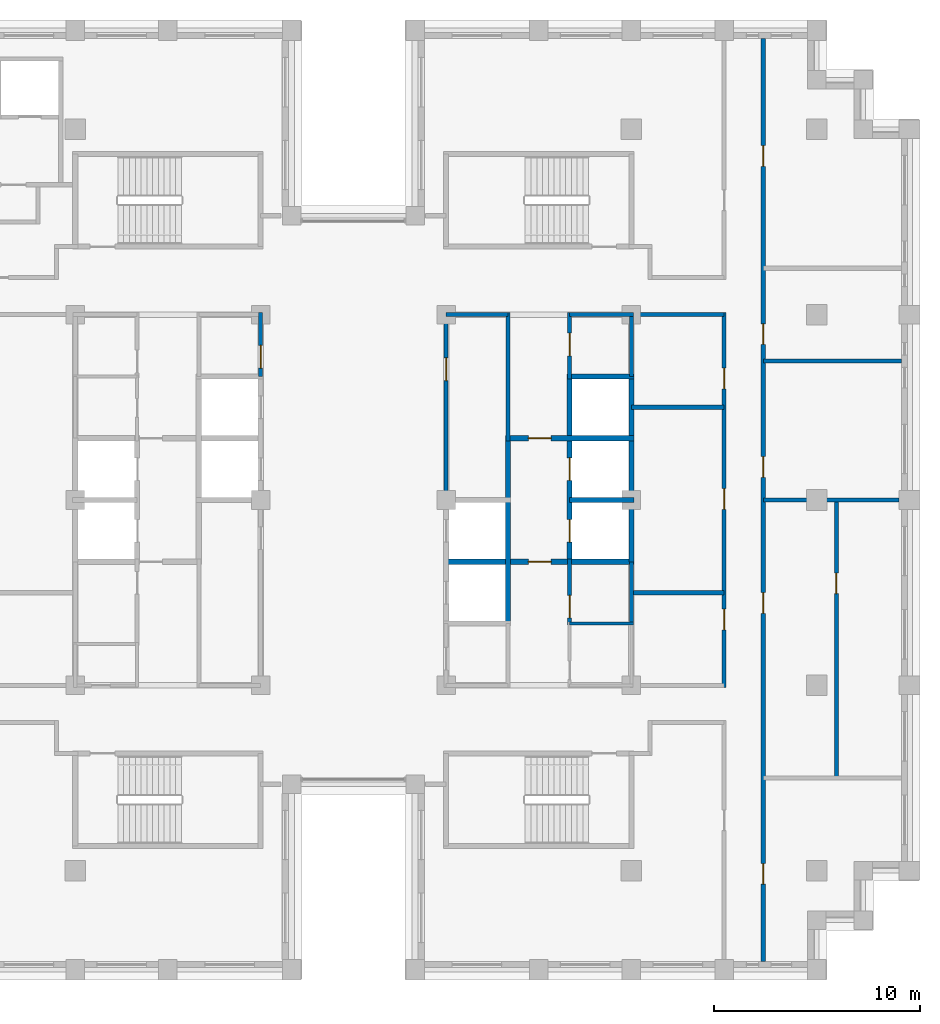
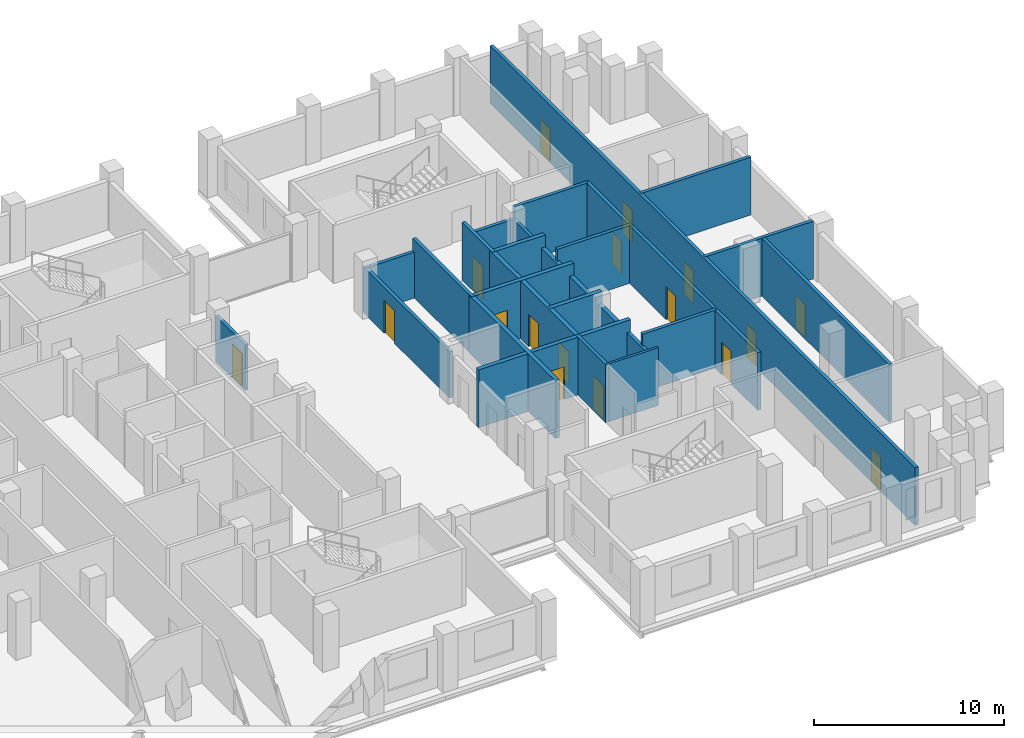
# One storey, part 9 of 15: 25 walls, 17 doors, 17 openings.
"""IFC4 building model written with IfcOpenShell, lengths in metres."""

from ifc_helpers import new_model, si_unit, direction, frame, frame_2d, origin, place, context, subcontext, project, spatial, rectangle, extrude, material, layer, layer_set, type_object, element, fill, save


model = new_model("IFC4")

# Units and contexts
model_context = context("Model", 3, precision=1e-05, world=origin(), true_north=direction((0.0, 1.0)))
body_context = subcontext(model_context, "Body", "Model", "MODEL_VIEW")
ifc_project = project(units=[si_unit("LENGTHUNIT", "METRE"), si_unit("AREAUNIT", "SQUARE_METRE"), si_unit("VOLUMEUNIT", "CUBIC_METRE"), si_unit("PLANEANGLEUNIT", "RADIAN"), si_unit("MASSUNIT", "GRAM", prefix="KILO")], contexts=[model_context])

# Site, building, storey
site_placement = place(None, origin())
site = spatial("IfcSite", under=ifc_project, at=site_placement, CompositionType="ELEMENT")
building_placement = place(site_placement, origin())
building = spatial("IfcBuilding", under=site, at=building_placement, Name="Corbelhall Arena Tower", CompositionType="ELEMENT")
storey_placement = place(building_placement, frame((0.0, 0.0, 188.0)))
storey = spatial("IfcBuildingStorey", under=building, at=storey_placement, Name="L38", CompositionType="ELEMENT", Elevation=188.0)

# Walls
ifc_material_1 = material(Name="Gypsum board on steel stud, acoustic", Category="steel")
ifc_layer_1 = layer(ifc_material_1, 0.199951171875)
ifc_layer_set_1 = layer_set([ifc_layer_1], Name="IN-W-DM200")
wall_type_1 = type_object("IfcWallType", Name="IN-W-DM200", PredefinedType="PARTITIONING", material=ifc_layer_set_1)
for number, where, z_axis, x_axis, name in (
    (1, (13.5, -4.5, 0.0), (0.0, 0.0, 1.0), (1.0, 0.0, 0.0), "Partition 039"),
    (2, (13.5, 4.5, 0.0), (0.0, 0.0, 1.0), (1.0, 0.0, 0.0), "Partition 040"),
    (3, (18.0, 9.0, 0.0), (0.0, 0.0, 1.0), (-1.0, 0.0, 0.0), "Partition 043"),
):
    element("IfcWall", number, at=place(storey_placement, frame(where, z_axis=z_axis, x_axis=x_axis)), inside=storey, type_object=wall_type_1, Name=name, PredefinedType="PARTITIONING", context=body_context, shape_type="SweptSolid", body=[
        extrude(rectangle(XDim=4.5, YDim=0.199951171875, at=frame_2d((2.25, 0.0))), origin(), (0.0, 0.0, 1.0), 3.719970703125),
    ])

# Wall, openings, doors
wall_1_placement = place(storey_placement, frame((18.0, -9.10009765625, 0.0), z_axis=(0.0, 0.0, 1.0), x_axis=(0.0, 1.0, 0.0)))
wall_1 = element("IfcWall", 4, at=wall_1_placement, inside=storey, type_object=wall_type_1, Name="Partition 048", PredefinedType="PARTITIONING", context=body_context, shape_type="SweptSolid", body=[
    extrude(rectangle(XDim=18.2001953125, YDim=0.199951171875, at=frame_2d((9.10009765625, 0.0))), origin(), (0.0, 0.0, 1.0), 3.719970703125),
])
opening_1_placement = place(wall_1_placement, frame((2.800048828125, 0.0, 0.0)))
opening_1 = element("IfcOpeningElement", 5, at=opening_1_placement, cuts=wall_1, Name="Opening 11024", PredefinedType="OPENING", context=body_context, shape_type="SweptSolid", body=[
    extrude(rectangle(XDim=1.0, YDim=2.10009765625, at=frame_2d((0.5, 1.050048828125))), frame((0.0, 0.10009765625, 0.0), z_axis=(0.0, -1.0, 0.0), x_axis=(1.0, 0.0, 0.0)), (0.0, 0.0, 1.0), 0.199951171875),
])
opening_2_placement = place(wall_1_placement, frame((8.64990234375, 0.0, 0.0)))
opening_2 = element("IfcOpeningElement", 6, at=opening_2_placement, cuts=wall_1, Name="Opening 11025", PredefinedType="OPENING", context=body_context, shape_type="SweptSolid", body=[
    extrude(rectangle(XDim=1.0, YDim=2.10009765625, at=frame_2d((0.5, 1.050048828125))), frame((0.0, 0.10009765625, 0.0), z_axis=(0.0, -1.0, 0.0), x_axis=(1.0, 0.0, 0.0)), (0.0, 0.0, 1.0), 0.199951171875),
])
opening_3_placement = place(wall_1_placement, frame((14.5, 0.0, 0.0)))
opening_3 = element("IfcOpeningElement", 7, at=opening_3_placement, cuts=wall_1, Name="Opening 11026", PredefinedType="OPENING", context=body_context, shape_type="SweptSolid", body=[
    extrude(rectangle(XDim=1.0, YDim=2.10009765625, at=frame_2d((0.5, 1.050048828125))), frame((0.0, 0.10009765625, 0.0), z_axis=(0.0, -1.0, 0.0), x_axis=(1.0, 0.0, 0.0)), (0.0, 0.0, 1.0), 0.199951171875),
])
ifc_material_2 = material(Name="Steel door set", Category="steel")
door_type_1 = type_object("IfcDoorType", Name="IN-D-SW100", OperationType="NOTDEFINED", PredefinedType="DOOR", material=ifc_material_2)
door_1_placement = place(opening_1_placement, origin())
door_1 = element("IfcDoor", 8, at=door_1_placement, inside=storey, type_object=door_type_1, Name="Door 024", OperationType="SINGLE_SWING_LEFT", OverallHeight=2.10009765625, OverallWidth=1.0, PredefinedType="DOOR", context=body_context, shape_type="SweptSolid", body=[
    extrude(rectangle(XDim=1.0, YDim=2.10009765625, at=frame_2d((0.5, 1.050048828125))), frame((0.0, 0.02490234375, 0.0), z_axis=(0.0, -1.0, 0.0), x_axis=(1.0, 0.0, 0.0)), (0.0, 0.0, 1.0), 0.050048828125),
])
fill(opening_1, door_1)
door_2_placement = place(opening_2_placement, origin())
door_2 = element("IfcDoor", 9, at=door_2_placement, inside=storey, type_object=door_type_1, Name="Door 025", OperationType="SINGLE_SWING_RIGHT", OverallHeight=2.10009765625, OverallWidth=1.0, PredefinedType="DOOR", context=body_context, shape_type="SweptSolid", body=[
    extrude(rectangle(XDim=1.0, YDim=2.10009765625, at=frame_2d((0.5, 1.050048828125))), frame((0.0, 0.02490234375, 0.0), z_axis=(0.0, -1.0, 0.0), x_axis=(1.0, 0.0, 0.0)), (0.0, 0.0, 1.0), 0.050048828125),
])
fill(opening_2, door_2)
door_3_placement = place(opening_3_placement, origin())
door_3 = element("IfcDoor", 10, at=door_3_placement, inside=storey, type_object=door_type_1, Name="Door 026", OperationType="SINGLE_SWING_LEFT", OverallHeight=2.10009765625, OverallWidth=1.0, PredefinedType="DOOR", context=body_context, shape_type="SweptSolid", body=[
    extrude(rectangle(XDim=1.0, YDim=2.10009765625, at=frame_2d((0.5, 1.050048828125))), frame((0.0, 0.02490234375, 0.0), z_axis=(0.0, -1.0, 0.0), x_axis=(1.0, 0.0, 0.0)), (0.0, 0.0, 1.0), 0.050048828125),
])
fill(opening_3, door_3)

wall_2_placement = place(storey_placement, frame((19.89990234375, 22.39990234375, 0.0), z_axis=(0.0, 0.0, 1.0), x_axis=(0.0, -1.0, 0.0)))
wall_2 = element("IfcWall", 11, at=wall_2_placement, inside=storey, type_object=wall_type_1, Name="Partition 050", PredefinedType="PARTITIONING", context=body_context, shape_type="SweptSolid", body=[
    extrude(rectangle(XDim=44.7998046875, YDim=0.199951171875, at=frame_2d((22.39990234375, 0.0))), origin(), (0.0, 0.0, 1.0), 3.719970703125),
])
opening_4_placement = place(wall_2_placement, frame((20.300048828125, 0.0, 0.0)))
opening_4 = element("IfcOpeningElement", 12, at=opening_4_placement, cuts=wall_2, Name="Opening 11037", PredefinedType="OPENING", context=body_context, shape_type="SweptSolid", body=[
    extrude(rectangle(XDim=1.0, YDim=2.10009765625, at=frame_2d((0.5, 1.050048828125))), frame((0.0, 0.10009765625, 0.0), z_axis=(0.0, -1.0, 0.0), x_axis=(1.0, 0.0, 0.0)), (0.0, 0.0, 1.0), 0.199951171875),
])
opening_5_placement = place(wall_2_placement, frame((13.85009765625, 0.0, 0.0)))
opening_5 = element("IfcOpeningElement", 13, at=opening_5_placement, cuts=wall_2, Name="Opening 11038", PredefinedType="OPENING", context=body_context, shape_type="SweptSolid", body=[
    extrude(rectangle(XDim=1.0, YDim=2.10009765625, at=frame_2d((0.5, 1.050048828125))), frame((0.0, 0.10009765625, 0.0), z_axis=(0.0, -1.0, 0.0), x_axis=(1.0, 0.0, 0.0)), (0.0, 0.0, 1.0), 0.199951171875),
])
opening_6_placement = place(wall_2_placement, frame((5.199951171875, 0.0, 0.0)))
opening_6 = element("IfcOpeningElement", 14, at=opening_6_placement, cuts=wall_2, Name="Opening 11039", PredefinedType="OPENING", context=body_context, shape_type="SweptSolid", body=[
    extrude(rectangle(XDim=1.0, YDim=2.10009765625, at=frame_2d((0.5, 1.050048828125))), frame((0.0, 0.10009765625, 0.0), z_axis=(0.0, -1.0, 0.0), x_axis=(1.0, 0.0, 0.0)), (0.0, 0.0, 1.0), 0.199951171875),
])
opening_7_placement = place(wall_2_placement, frame((40.050048828125, 0.0, 0.0)))
opening_7 = element("IfcOpeningElement", 15, at=opening_7_placement, cuts=wall_2, Name="Opening 11040", PredefinedType="OPENING", context=body_context, shape_type="SweptSolid", body=[
    extrude(rectangle(XDim=1.0, YDim=2.10009765625, at=frame_2d((0.5, 1.050048828125))), frame((0.0, 0.10009765625, 0.0), z_axis=(0.0, -1.0, 0.0), x_axis=(1.0, 0.0, 0.0)), (0.0, 0.0, 1.0), 0.199951171875),
])
opening_8_placement = place(wall_2_placement, frame((26.89990234375, 0.0, 0.0)))
opening_8 = element("IfcOpeningElement", 16, at=opening_8_placement, cuts=wall_2, Name="Opening 11041", PredefinedType="OPENING", context=body_context, shape_type="SweptSolid", body=[
    extrude(rectangle(XDim=1.0, YDim=2.10009765625, at=frame_2d((0.5, 1.050048828125))), frame((0.0, 0.10009765625, 0.0), z_axis=(0.0, -1.0, 0.0), x_axis=(1.0, 0.0, 0.0)), (0.0, 0.0, 1.0), 0.199951171875),
])
door_4_placement = place(opening_4_placement, origin())
door_4 = element("IfcDoor", 17, at=door_4_placement, inside=storey, type_object=door_type_1, Name="Door 037", OperationType="SINGLE_SWING_RIGHT", OverallHeight=2.10009765625, OverallWidth=1.0, PredefinedType="DOOR", context=body_context, shape_type="SweptSolid", body=[
    extrude(rectangle(XDim=1.0, YDim=2.10009765625, at=frame_2d((0.5, 1.050048828125))), frame((0.0, 0.02490234375, 0.0), z_axis=(0.0, -1.0, 0.0), x_axis=(1.0, 0.0, 0.0)), (0.0, 0.0, 1.0), 0.050048828125),
])
fill(opening_4, door_4)
door_5_placement = place(opening_5_placement, origin())
door_5 = element("IfcDoor", 18, at=door_5_placement, inside=storey, type_object=door_type_1, Name="Door 038", OperationType="SINGLE_SWING_LEFT", OverallHeight=2.10009765625, OverallWidth=1.0, PredefinedType="DOOR", context=body_context, shape_type="SweptSolid", body=[
    extrude(rectangle(XDim=1.0, YDim=2.10009765625, at=frame_2d((0.5, 1.050048828125))), frame((0.0, 0.02490234375, 0.0), z_axis=(0.0, -1.0, 0.0), x_axis=(1.0, 0.0, 0.0)), (0.0, 0.0, 1.0), 0.050048828125),
])
fill(opening_5, door_5)
door_6_placement = place(opening_6_placement, origin())
door_6 = element("IfcDoor", 19, at=door_6_placement, inside=storey, type_object=door_type_1, Name="Door 039", OperationType="SINGLE_SWING_RIGHT", OverallHeight=2.10009765625, OverallWidth=1.0, PredefinedType="DOOR", context=body_context, shape_type="SweptSolid", body=[
    extrude(rectangle(XDim=1.0, YDim=2.10009765625, at=frame_2d((0.5, 1.050048828125))), frame((0.0, 0.02490234375, 0.0), z_axis=(0.0, -1.0, 0.0), x_axis=(1.0, 0.0, 0.0)), (0.0, 0.0, 1.0), 0.050048828125),
])
fill(opening_6, door_6)
door_7_placement = place(opening_7_placement, origin())
door_7 = element("IfcDoor", 20, at=door_7_placement, inside=storey, type_object=door_type_1, Name="Door 040", OperationType="SINGLE_SWING_LEFT", OverallHeight=2.10009765625, OverallWidth=1.0, PredefinedType="DOOR", context=body_context, shape_type="SweptSolid", body=[
    extrude(rectangle(XDim=1.0, YDim=2.10009765625, at=frame_2d((0.5, 1.050048828125))), frame((0.0, 0.02490234375, 0.0), z_axis=(0.0, -1.0, 0.0), x_axis=(1.0, 0.0, 0.0)), (0.0, 0.0, 1.0), 0.050048828125),
])
fill(opening_7, door_7)
door_8_placement = place(opening_8_placement, origin())
door_8 = element("IfcDoor", 21, at=door_8_placement, inside=storey, type_object=door_type_1, Name="Door 041", OperationType="SINGLE_SWING_RIGHT", OverallHeight=2.10009765625, OverallWidth=1.0, PredefinedType="DOOR", context=body_context, shape_type="SweptSolid", body=[
    extrude(rectangle(XDim=1.0, YDim=2.10009765625, at=frame_2d((0.5, 1.050048828125))), frame((0.0, 0.02490234375, 0.0), z_axis=(0.0, -1.0, 0.0), x_axis=(1.0, 0.0, 0.0)), (0.0, 0.0, 1.0), 0.050048828125),
])
fill(opening_8, door_8)

# Wall
wall_3_placement = place(storey_placement, frame((19.89990234375, 6.75, 0.0), z_axis=(0.0, 0.0, 1.0), x_axis=(1.0, 0.0, 0.0)))
element("IfcWall", 22, at=wall_3_placement, inside=storey, type_object=wall_type_1, Name="Partition 052", PredefinedType="PARTITIONING", context=body_context, shape_type="SweptSolid", body=[
    extrude(rectangle(XDim=6.7001953125, YDim=0.199951171875, at=frame_2d((3.35009765625, 0.0))), origin(), (0.0, 0.0, 1.0), 3.719970703125),
])

# Wall, opening, door
wall_4_placement = place(storey_placement, frame((23.449951171875, 0.0, 0.0), z_axis=(0.0, 0.0, 1.0), x_axis=(0.0, -1.0, 0.0)))
wall_4 = element("IfcWall", 23, at=wall_4_placement, inside=storey, type_object=wall_type_1, Name="Partition 054", PredefinedType="PARTITIONING", context=body_context, shape_type="SweptSolid", body=[
    extrude(rectangle(XDim=13.5, YDim=0.199951171875, at=frame_2d((6.75, 0.0))), origin(), (0.0, 0.0, 1.0), 3.719970703125),
])
opening_9_placement = place(wall_4_placement, frame((3.550048828125, 0.0, 0.0)))
opening_9 = element("IfcOpeningElement", 24, at=opening_9_placement, cuts=wall_4, Name="Opening 11042", PredefinedType="OPENING", context=body_context, shape_type="SweptSolid", body=[
    extrude(rectangle(XDim=1.0, YDim=2.10009765625, at=frame_2d((0.5, 1.050048828125))), frame((0.0, 0.10009765625, 0.0), z_axis=(0.0, -1.0, 0.0), x_axis=(1.0, 0.0, 0.0)), (0.0, 0.0, 1.0), 0.199951171875),
])
door_9_placement = place(opening_9_placement, origin())
door_9 = element("IfcDoor", 25, at=door_9_placement, inside=storey, type_object=door_type_1, Name="Door 042", OperationType="SINGLE_SWING_LEFT", OverallHeight=2.10009765625, OverallWidth=1.0, PredefinedType="DOOR", context=body_context, shape_type="SweptSolid", body=[
    extrude(rectangle(XDim=1.0, YDim=2.10009765625, at=frame_2d((0.5, 1.050048828125))), frame((0.0, 0.02490234375, 0.0), z_axis=(0.0, -1.0, 0.0), x_axis=(1.0, 0.0, 0.0)), (0.0, 0.0, 1.0), 0.050048828125),
])
fill(opening_9, door_9)

# Walls
wall_5_placement = place(storey_placement, frame((26.5, 0.0, 0.0), z_axis=(0.0, 0.0, 1.0), x_axis=(-1.0, 0.0, 0.0)))
element("IfcWall", 26, at=wall_5_placement, inside=storey, type_object=wall_type_1, Name="Partition 055", PredefinedType="PARTITIONING", context=body_context, shape_type="SweptSolid", body=[
    extrude(rectangle(XDim=6.60009765625, YDim=0.199951171875, at=frame_2d((3.300048828125, 0.0))), origin(), (0.0, 0.0, 1.0), 3.719970703125),
])
ifc_material_3 = material(Name="Concrete block wall", Category="concrete")
ifc_layer_2 = layer(ifc_material_3, 0.199951171875)
ifc_layer_set_2 = layer_set([ifc_layer_2], Name="IN-W-RS200")
wall_type_2 = type_object("IfcWallType", Name="IN-W-RS200", PredefinedType="SOLIDWALL", material=ifc_layer_set_2)
wall_6_placement = place(storey_placement, frame((7.5, 9.10009765625, 0.0), z_axis=(0.0, 0.0, 1.0), x_axis=(0.0, -1.0, 0.0)))
element("IfcWall", 27, at=wall_6_placement, inside=storey, type_object=wall_type_2, Name="Partition 072", PredefinedType="SOLIDWALL", context=body_context, shape_type="SweptSolid", body=[
    extrude(rectangle(XDim=6.22509765625, YDim=0.199951171875, at=frame_2d((3.112548828125, 0.0))), origin(), (0.0, 0.0, 1.0), 3.719970703125),
])

# Wall, opening, door
wall_7_placement = place(storey_placement, frame((10.5, -2.875, 0.0), z_axis=(0.0, 0.0, 1.0), x_axis=(0.0, -1.0, 0.0)))
wall_7 = element("IfcWall", 28, at=wall_7_placement, inside=storey, type_object=wall_type_2, Name="Partition 073", PredefinedType="SOLIDWALL", context=body_context, shape_type="SweptSolid", body=[
    extrude(rectangle(XDim=3.199951171875, YDim=0.199951171875, at=frame_2d((1.60009765625, 0.0))), origin(), (0.0, 0.0, 1.0), 3.719970703125),
])
opening_10_placement = place(wall_7_placement, frame((1.75, 0.0, 0.0)))
opening_10 = element("IfcOpeningElement", 29, at=opening_10_placement, cuts=wall_7, Name="Opening 11014", PredefinedType="OPENING", context=body_context, shape_type="SweptSolid", body=[
    extrude(rectangle(XDim=1.10009765625, YDim=2.10009765625, at=frame_2d((0.550048828125, 1.050048828125))), frame((0.0, 0.10009765625, 0.0), z_axis=(0.0, -1.0, 0.0), x_axis=(1.0, 0.0, 0.0)), (0.0, 0.0, 1.0), 0.199951171875),
])
door_type_2 = type_object("IfcDoorType", Name="IN-D-FD110", OperationType="NOTDEFINED", PredefinedType="DOOR", material=ifc_material_2)
door_10_placement = place(opening_10_placement, origin())
door_10 = element("IfcDoor", 30, at=door_10_placement, inside=storey, type_object=door_type_2, Name="Door 014", OperationType="SINGLE_SWING_LEFT", OverallHeight=2.10009765625, OverallWidth=1.10009765625, PredefinedType="DOOR", context=body_context, shape_type="SweptSolid", body=[
    extrude(rectangle(XDim=1.10009765625, YDim=2.10009765625, at=frame_2d((0.550048828125, 1.050048828125))), frame((0.0, 0.02490234375, 0.0), z_axis=(0.0, -1.0, 0.0), x_axis=(1.0, 0.0, 0.0)), (0.0, 0.0, 1.0), 0.050048828125),
])
fill(opening_10, door_10)

wall_8_placement = place(storey_placement, frame((10.5, 9.10009765625, 0.0), z_axis=(0.0, 0.0, 1.0), x_axis=(0.0, -1.0, 0.0)))
wall_8 = element("IfcWall", 31, at=wall_8_placement, inside=storey, type_object=wall_type_2, Name="Partition 075", PredefinedType="SOLIDWALL", context=body_context, shape_type="SweptSolid", body=[
    extrude(rectangle(XDim=3.22509765625, YDim=0.199951171875, at=frame_2d((1.612548828125, 0.0))), origin(), (0.0, 0.0, 1.0), 3.719970703125),
])
opening_11_placement = place(wall_8_placement, frame((1.0, 0.0, 0.0)))
opening_11 = element("IfcOpeningElement", 32, at=opening_11_placement, cuts=wall_8, Name="Opening 11015", PredefinedType="OPENING", context=body_context, shape_type="SweptSolid", body=[
    extrude(rectangle(XDim=1.10009765625, YDim=2.10009765625, at=frame_2d((0.550048828125, 1.050048828125))), frame((0.0, 0.10009765625, 0.0), z_axis=(0.0, -1.0, 0.0), x_axis=(1.0, 0.0, 0.0)), (0.0, 0.0, 1.0), 0.199951171875),
])
door_11_placement = place(opening_11_placement, origin())
door_11 = element("IfcDoor", 33, at=door_11_placement, inside=storey, type_object=door_type_2, Name="Door 015", OperationType="SINGLE_SWING_RIGHT", OverallHeight=2.10009765625, OverallWidth=1.10009765625, PredefinedType="DOOR", context=body_context, shape_type="SweptSolid", body=[
    extrude(rectangle(XDim=1.10009765625, YDim=2.10009765625, at=frame_2d((0.550048828125, 1.050048828125))), frame((0.0, 0.02490234375, 0.0), z_axis=(0.0, -1.0, 0.0), x_axis=(1.0, 0.0, 0.0)), (0.0, 0.0, 1.0), 0.050048828125),
])
fill(opening_11, door_11)

ifc_layer_3 = layer(ifc_material_3, 0.199951171875)
ifc_layer_set_3 = layer_set([ifc_layer_3], Name="IN-W-RS200 under beam 762 mm")
wall_type_3 = type_object("IfcWallType", Name="IN-W-RS200 under beam 762 mm", PredefinedType="SOLIDWALL", material=ifc_layer_set_3)
wall_9_placement = place(storey_placement, frame((-4.5, 9.10009765625, 0.0), z_axis=(0.0, 0.0, 1.0), x_axis=(0.0, -1.0, 0.0)))
wall_9 = element("IfcWall", 34, at=wall_9_placement, inside=storey, type_object=wall_type_3, Name="Partition 066", PredefinedType="SOLIDWALL", context=body_context, shape_type="SweptSolid", body=[
    extrude(rectangle(XDim=3.10009765625, YDim=0.199951171875, at=frame_2d((1.550048828125, 0.0))), origin(), (0.0, 0.0, 1.0), 2.9580078125),
])
opening_12_placement = place(wall_9_placement, frame((1.60009765625, 0.0, 0.0)))
opening_12 = element("IfcOpeningElement", 35, at=opening_12_placement, cuts=wall_9, Name="Opening 11002", PredefinedType="OPENING", context=body_context, shape_type="SweptSolid", body=[
    extrude(rectangle(XDim=1.10009765625, YDim=2.10009765625, at=frame_2d((0.550048828125, 1.050048828125))), frame((0.0, 0.10009765625, 0.0), z_axis=(0.0, -1.0, 0.0), x_axis=(1.0, 0.0, 0.0)), (0.0, 0.0, 1.0), 0.199951171875),
])
door_12_placement = place(opening_12_placement, origin())
door_12 = element("IfcDoor", 36, at=door_12_placement, inside=storey, type_object=door_type_2, Name="Door 002", OperationType="SINGLE_SWING_LEFT", OverallHeight=2.10009765625, OverallWidth=1.10009765625, PredefinedType="DOOR", context=body_context, shape_type="SweptSolid", body=[
    extrude(rectangle(XDim=1.10009765625, YDim=2.10009765625, at=frame_2d((0.550048828125, 1.050048828125))), frame((0.0, 0.02490234375, 0.0), z_axis=(0.0, -1.0, 0.0), x_axis=(1.0, 0.0, 0.0)), (0.0, 0.0, 1.0), 0.050048828125),
])
fill(opening_12, door_12)

wall_10_placement = place(storey_placement, frame((4.5, 0.0, 0.0), z_axis=(0.0, 0.0, 1.0), x_axis=(0.0, 1.0, 0.0)))
wall_10 = element("IfcWall", 37, at=wall_10_placement, inside=storey, type_object=wall_type_3, Name="Partition 068", PredefinedType="SOLIDWALL", context=body_context, shape_type="SweptSolid", body=[
    extrude(rectangle(XDim=9.10009765625, YDim=0.199951171875, at=frame_2d((4.550048828125, 0.0))), origin(), (0.0, 0.0, 1.0), 2.9580078125),
])
opening_13_placement = place(wall_10_placement, frame((5.800048828125, 0.0, 0.0)))
opening_13 = element("IfcOpeningElement", 38, at=opening_13_placement, cuts=wall_10, Name="Opening 11010", PredefinedType="OPENING", context=body_context, shape_type="SweptSolid", body=[
    extrude(rectangle(XDim=1.10009765625, YDim=2.10009765625, at=frame_2d((0.550048828125, 1.050048828125))), frame((0.0, 0.10009765625, 0.0), z_axis=(0.0, -1.0, 0.0), x_axis=(1.0, 0.0, 0.0)), (0.0, 0.0, 1.0), 0.199951171875),
])
door_13_placement = place(opening_13_placement, origin())
door_13 = element("IfcDoor", 39, at=door_13_placement, inside=storey, type_object=door_type_2, Name="Door 010", OperationType="SINGLE_SWING_LEFT", OverallHeight=2.10009765625, OverallWidth=1.10009765625, PredefinedType="DOOR", context=body_context, shape_type="SweptSolid", body=[
    extrude(rectangle(XDim=1.10009765625, YDim=2.10009765625, at=frame_2d((0.550048828125, 1.050048828125))), frame((0.0, 0.02490234375, 0.0), z_axis=(0.0, -1.0, 0.0), x_axis=(1.0, 0.0, 0.0)), (0.0, 0.0, 1.0), 0.050048828125),
])
fill(opening_13, door_13)

# Walls
wall_11_placement = place(storey_placement, frame((4.5, 9.0, 0.0), z_axis=(0.0, 0.0, 1.0), x_axis=(1.0, 0.0, 0.0)))
element("IfcWall", 40, at=wall_11_placement, inside=storey, type_object=wall_type_3, Name="Partition 069", PredefinedType="SOLIDWALL", context=body_context, shape_type="SweptSolid", body=[
    extrude(rectangle(XDim=3.0, YDim=0.199951171875, at=frame_2d((1.5, 0.0))), origin(), (0.0, 0.0, 1.0), 2.9580078125),
])
wall_12_placement = place(storey_placement, frame((10.5, 9.0, 0.0), z_axis=(0.0, 0.0, 1.0), x_axis=(1.0, 0.0, 0.0)))
element("IfcWall", 41, at=wall_12_placement, inside=storey, type_object=wall_type_3, Name="Partition 074", PredefinedType="SOLIDWALL", context=body_context, shape_type="SweptSolid", body=[
    extrude(rectangle(XDim=3.10009765625, YDim=0.199951171875, at=frame_2d((1.550048828125, 0.0))), origin(), (0.0, 0.0, 1.0), 2.9580078125),
])
wall_13_placement = place(storey_placement, frame((13.5, -3.0, 0.0), z_axis=(0.0, 0.0, 1.0), x_axis=(0.0, -1.0, 0.0)))
element("IfcWall", 42, at=wall_13_placement, inside=storey, type_object=wall_type_3, Name="Partition 076", PredefinedType="SOLIDWALL", context=body_context, shape_type="SweptSolid", body=[
    extrude(rectangle(XDim=3.0, YDim=0.199951171875, at=frame_2d((1.5, 0.0))), origin(), (0.0, 0.0, 1.0), 2.9580078125),
])
wall_14_placement = place(storey_placement, frame((13.5, 9.10009765625, 0.0), z_axis=(0.0, 0.0, 1.0), x_axis=(0.0, -1.0, 0.0)))
element("IfcWall", 43, at=wall_14_placement, inside=storey, type_object=wall_type_3, Name="Partition 077", PredefinedType="SOLIDWALL", context=body_context, shape_type="SweptSolid", body=[
    extrude(rectangle(XDim=3.10009765625, YDim=0.199951171875, at=frame_2d((1.550048828125, 0.0))), origin(), (0.0, 0.0, 1.0), 2.9580078125),
])

# Wall, opening, door
ifc_material_4 = material(Name="Concrete C40/50", Category="concrete")
ifc_layer_4 = layer(ifc_material_4, 0.25)
ifc_layer_set_4 = layer_set([ifc_layer_4], Name="IN-W-SH250")
wall_type_4 = type_object("IfcWallType", Name="IN-W-SH250", PredefinedType="SOLIDWALL", material=ifc_layer_set_4)
wall_15_placement = place(storey_placement, frame((4.375, -3.0, 0.0), z_axis=(0.0, 0.0, 1.0), x_axis=(1.0, 0.0, 0.0)))
wall_15 = element("IfcWall", 44, at=wall_15_placement, inside=storey, type_object=wall_type_4, Name="Shaft wall 088", PredefinedType="SOLIDWALL", context=body_context, shape_type="SweptSolid", body=[
    extrude(rectangle(XDim=9.25, YDim=0.25, at=frame_2d((4.625, 0.0))), origin(), (0.0, 0.0, 1.0), 3.719970703125),
])
opening_14_placement = place(wall_15_placement, frame((4.125, 0.0, 0.0)))
opening_14 = element("IfcOpeningElement", 45, at=opening_14_placement, cuts=wall_15, Name="Opening 11011", PredefinedType="OPENING", context=body_context, shape_type="SweptSolid", body=[
    extrude(rectangle(XDim=1.10009765625, YDim=2.10009765625, at=frame_2d((0.550048828125, 1.050048828125))), frame((0.0, 0.125, 0.0), z_axis=(0.0, -1.0, 0.0), x_axis=(1.0, 0.0, 0.0)), (0.0, 0.0, 1.0), 0.25),
])
door_14_placement = place(opening_14_placement, origin())
door_14 = element("IfcDoor", 46, at=door_14_placement, inside=storey, type_object=door_type_2, Name="Door 011", OperationType="SINGLE_SWING_RIGHT", OverallHeight=2.10009765625, OverallWidth=1.10009765625, PredefinedType="DOOR", context=body_context, shape_type="SweptSolid", body=[
    extrude(rectangle(XDim=1.10009765625, YDim=2.10009765625, at=frame_2d((0.550048828125, 1.050048828125))), frame((0.0, 0.02490234375, 0.0), z_axis=(0.0, -1.0, 0.0), x_axis=(1.0, 0.0, 0.0)), (0.0, 0.0, 1.0), 0.050048828125),
])
fill(opening_14, door_14)

# Wall
wall_16_placement = place(storey_placement, frame((7.5, 3.125, 0.0), z_axis=(0.0, 0.0, 1.0), x_axis=(0.0, -1.0, 0.0)))
element("IfcWall", 47, at=wall_16_placement, inside=storey, type_object=wall_type_4, Name="Shaft wall 091", PredefinedType="SOLIDWALL", context=body_context, shape_type="SweptSolid", body=[
    extrude(rectangle(XDim=9.125, YDim=0.25, at=frame_2d((4.5625, 0.0))), origin(), (0.0, 0.0, 1.0), 3.719970703125),
])

# Wall, opening, door
wall_17_placement = place(storey_placement, frame((7.5, 3.0, 0.0), z_axis=(0.0, 0.0, 1.0), x_axis=(1.0, 0.0, 0.0)))
wall_17 = element("IfcWall", 48, at=wall_17_placement, inside=storey, type_object=wall_type_4, Name="Shaft wall 092", PredefinedType="SOLIDWALL", context=body_context, shape_type="SweptSolid", body=[
    extrude(rectangle(XDim=6.125, YDim=0.25, at=frame_2d((3.0625, 0.0))), origin(), (0.0, 0.0, 1.0), 3.719970703125),
])
opening_15_placement = place(wall_17_placement, frame((1.0, 0.0, 0.0)))
opening_15 = element("IfcOpeningElement", 49, at=opening_15_placement, cuts=wall_17, Name="Opening 11012", PredefinedType="OPENING", context=body_context, shape_type="SweptSolid", body=[
    extrude(rectangle(XDim=1.10009765625, YDim=2.10009765625, at=frame_2d((0.550048828125, 1.050048828125))), frame((0.0, 0.125, 0.0), z_axis=(0.0, -1.0, 0.0), x_axis=(1.0, 0.0, 0.0)), (0.0, 0.0, 1.0), 0.25),
])
door_15_placement = place(opening_15_placement, origin())
door_15 = element("IfcDoor", 50, at=door_15_placement, inside=storey, type_object=door_type_2, Name="Door 012", OperationType="SINGLE_SWING_LEFT", OverallHeight=2.10009765625, OverallWidth=1.10009765625, PredefinedType="DOOR", context=body_context, shape_type="SweptSolid", body=[
    extrude(rectangle(XDim=1.10009765625, YDim=2.10009765625, at=frame_2d((0.550048828125, 1.050048828125))), frame((0.0, 0.02490234375, 0.0), z_axis=(0.0, -1.0, 0.0), x_axis=(1.0, 0.0, 0.0)), (0.0, 0.0, 1.0), 0.050048828125),
])
fill(opening_15, door_15)

# Wall
wall_18_placement = place(storey_placement, frame((10.5, 0.0, 0.0), z_axis=(0.0, 0.0, 1.0), x_axis=(1.0, 0.0, 0.0)))
element("IfcWall", 51, at=wall_18_placement, inside=storey, type_object=wall_type_4, Name="Shaft wall 093", PredefinedType="SOLIDWALL", context=body_context, shape_type="SweptSolid", body=[
    extrude(rectangle(XDim=3.125, YDim=0.25, at=frame_2d((1.5625, 0.0))), origin(), (0.0, 0.0, 1.0), 3.719970703125),
])

# Wall, openings, doors
wall_19_placement = place(storey_placement, frame((10.5, 6.125, 0.0), z_axis=(0.0, 0.0, 1.0), x_axis=(0.0, -1.0, 0.0)))
wall_19 = element("IfcWall", 52, at=wall_19_placement, inside=storey, type_object=wall_type_4, Name="Shaft wall 094", PredefinedType="SOLIDWALL", context=body_context, shape_type="SweptSolid", body=[
    extrude(rectangle(XDim=9.25, YDim=0.25, at=frame_2d((4.625, 0.0))), origin(), (0.0, 0.0, 1.0), 3.719970703125),
])
opening_16_placement = place(wall_19_placement, frame((7.074951171875, 0.0, 0.0)))
opening_16 = element("IfcOpeningElement", 53, at=opening_16_placement, cuts=wall_19, Name="Opening LD", PredefinedType="OPENING", context=body_context, shape_type="SweptSolid", body=[
    extrude(rectangle(XDim=1.10009765625, YDim=2.10009765625, at=frame_2d((0.550048828125, 1.050048828125))), frame((0.0, 0.125, 0.0), z_axis=(0.0, -1.0, 0.0), x_axis=(1.0, 0.0, 0.0)), (0.0, 0.0, 1.0), 0.25),
])
opening_17_placement = place(wall_19_placement, frame((4.074951171875, 0.0, 0.0)))
opening_17 = element("IfcOpeningElement", 54, at=opening_17_placement, cuts=wall_19, Name="Opening LD", PredefinedType="OPENING", context=body_context, shape_type="SweptSolid", body=[
    extrude(rectangle(XDim=1.10009765625, YDim=2.10009765625, at=frame_2d((0.550048828125, 1.050048828125))), frame((0.0, 0.125, 0.0), z_axis=(0.0, -1.0, 0.0), x_axis=(1.0, 0.0, 0.0)), (0.0, 0.0, 1.0), 0.25),
])
door_type_3 = type_object("IfcDoorType", Name="IN-D-LD110", OperationType="NOTDEFINED", PredefinedType="DOOR", material=ifc_material_2)
door_16_placement = place(opening_16_placement, origin())
door_16 = element("IfcDoor", 55, at=door_16_placement, inside=storey, type_object=door_type_3, Name="Landing door E3", OperationType="SLIDING_TO_LEFT", OverallHeight=2.10009765625, OverallWidth=1.10009765625, PredefinedType="DOOR", context=body_context, shape_type="SweptSolid", body=[
    extrude(rectangle(XDim=1.10009765625, YDim=2.10009765625, at=frame_2d((0.550048828125, 1.050048828125))), frame((0.0, 0.02490234375, 0.0), z_axis=(0.0, -1.0, 0.0), x_axis=(1.0, 0.0, 0.0)), (0.0, 0.0, 1.0), 0.050048828125),
])
fill(opening_16, door_16)
door_17_placement = place(opening_17_placement, origin())
door_17 = element("IfcDoor", 56, at=door_17_placement, inside=storey, type_object=door_type_3, Name="Landing door E4", OperationType="SLIDING_TO_LEFT", OverallHeight=2.10009765625, OverallWidth=1.10009765625, PredefinedType="DOOR", context=body_context, shape_type="SweptSolid", body=[
    extrude(rectangle(XDim=1.10009765625, YDim=2.10009765625, at=frame_2d((0.550048828125, 1.050048828125))), frame((0.0, 0.02490234375, 0.0), z_axis=(0.0, -1.0, 0.0), x_axis=(1.0, 0.0, 0.0)), (0.0, 0.0, 1.0), 0.050048828125),
])
fill(opening_17, door_17)

# Walls
wall_20_placement = place(storey_placement, frame((10.5, 6.0, 0.0), z_axis=(0.0, 0.0, 1.0), x_axis=(1.0, 0.0, 0.0)))
element("IfcWall", 57, at=wall_20_placement, inside=storey, type_object=wall_type_4, Name="Shaft wall 095", PredefinedType="SOLIDWALL", context=body_context, shape_type="SweptSolid", body=[
    extrude(rectangle(XDim=3.125, YDim=0.25, at=frame_2d((1.5625, 0.0))), origin(), (0.0, 0.0, 1.0), 3.719970703125),
])
ifc_layer_5 = layer(ifc_material_4, 0.25)
ifc_layer_set_5 = layer_set([ifc_layer_5], Name="IN-W-SH250 under beam 762 mm")
wall_type_5 = type_object("IfcWallType", Name="IN-W-SH250 under beam 762 mm", PredefinedType="SOLIDWALL", material=ifc_layer_set_5)
wall_21_placement = place(storey_placement, frame((13.5, 6.0, 0.0), z_axis=(0.0, 0.0, 1.0), x_axis=(0.0, -1.0, 0.0)))
element("IfcWall", 58, at=wall_21_placement, inside=storey, type_object=wall_type_5, Name="Shaft wall 096", PredefinedType="SOLIDWALL", context=body_context, shape_type="SweptSolid", body=[
    extrude(rectangle(XDim=9.0, YDim=0.25, at=frame_2d((4.5, 0.0))), origin(), (0.0, 0.0, 1.0), 2.9580078125),
])
ifc_material_5 = material(Name="Gypsum board on steel stud, moisture resistant", Category="steel")
ifc_layer_6 = layer(ifc_material_5, 0.14990234375)
ifc_layer_set_6 = layer_set([ifc_layer_6], Name="IN-W-WC150")
wall_type_6 = type_object("IfcWallType", Name="IN-W-WC150", PredefinedType="PARTITIONING", material=ifc_layer_set_6)
wall_22_placement = place(storey_placement, frame((10.5, -6.0, 0.0), z_axis=(0.0, 0.0, 1.0), x_axis=(1.0, 0.0, 0.0)))
element("IfcWall", 59, at=wall_22_placement, inside=storey, type_object=wall_type_6, Name="Partition 126", PredefinedType="PARTITIONING", context=body_context, shape_type="SweptSolid", body=[
    extrude(rectangle(XDim=3.10009765625, YDim=0.14990234375, at=frame_2d((1.550048828125, 0.0))), origin(), (0.0, 0.0, 1.0), 3.719970703125),
])

save(model, "model.ifc")
